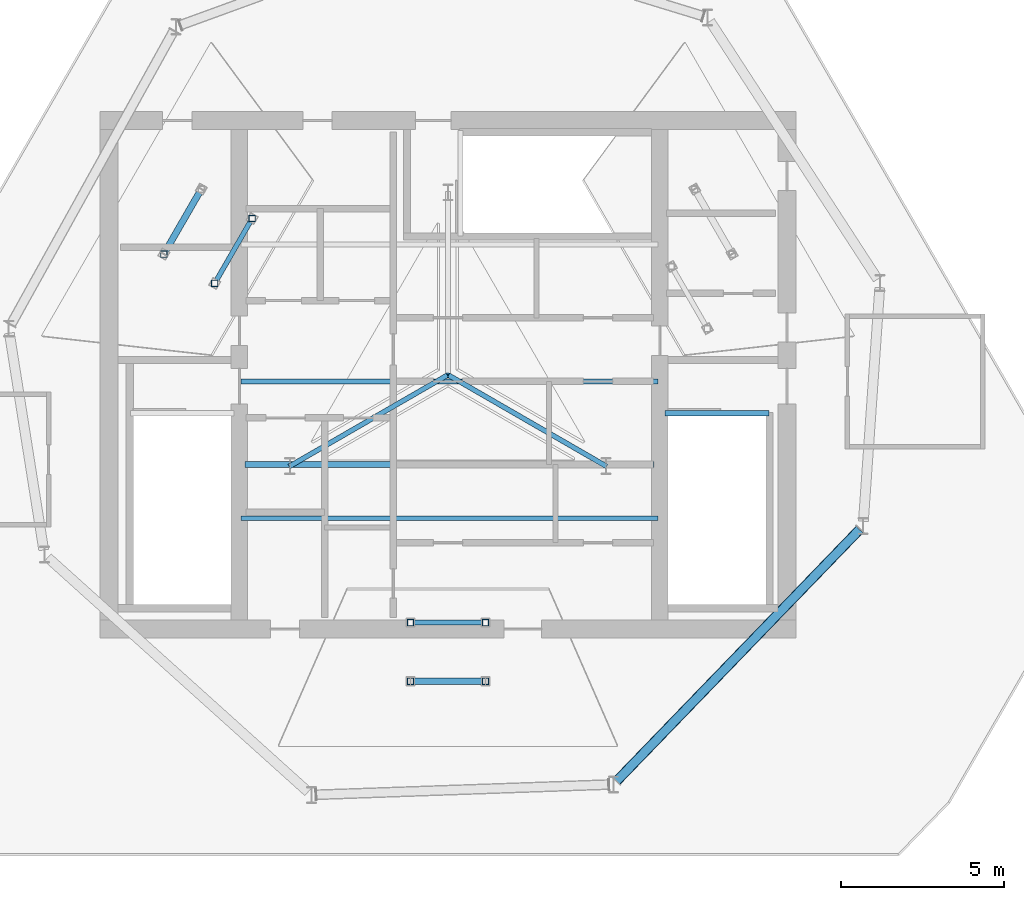
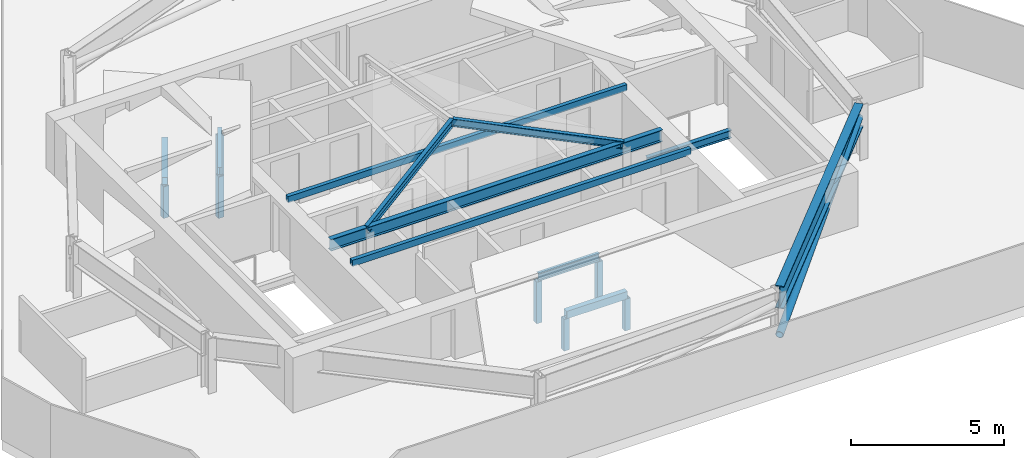
# One storey, part 2 of 9: 16 members, 3 beams.
"""IFC4 building model written with IfcOpenShell, lengths in metres."""

from ifc_helpers import new_model, si_unit, direction, frame, origin, origin_2d, place, context, subcontext, project, spatial, hollow_rectangle, hollow_circle, i_section, extrude, material, material_profile, profile_set, type_object, element, save


model = new_model("IFC4")

# Units and contexts
model_context = context("Model", 3, precision=1e-05, world=origin(), true_north=direction((0.0, 1.0)))
body_context = subcontext(model_context, "Body", "Model", "MODEL_VIEW")
ifc_project = project(units=[si_unit("LENGTHUNIT", "METRE"), si_unit("AREAUNIT", "SQUARE_METRE"), si_unit("VOLUMEUNIT", "CUBIC_METRE"), si_unit("PLANEANGLEUNIT", "RADIAN"), si_unit("MASSUNIT", "GRAM", prefix="KILO")], contexts=[model_context])

# Site, building, storey
site_placement = place(None, origin())
site = spatial("IfcSite", under=ifc_project, at=site_placement, CompositionType="ELEMENT")
building_placement = place(site_placement, origin())
building = spatial("IfcBuilding", under=site, at=building_placement, Name="Qarnah Convention Tower", CompositionType="ELEMENT")
storey_placement = place(building_placement, frame((0.0, 0.0, 292.89990234375)))
storey = spatial("IfcBuildingStorey", under=building, at=storey_placement, Name="L79", CompositionType="ELEMENT", Elevation=292.89990234375)

# Beams
ifc_material = material(Name="Structural steel S355JR", Category="steel")
ifc_material_profile_1 = material_profile(ifc_material, i_section(OverallWidth=0.19189453125, OverallDepth=0.464111328125, WebThickness=0.010986328125, FlangeThickness=0.01806640625, at=origin_2d()), Name="W460X89")
ifc_profile_set_1 = profile_set([ifc_material_profile_1], Name="Structural steel S355JR")
beam_type_1 = type_object("IfcBeamType", Name="BM-CANT-W460A", PredefinedType="BEAM", material=ifc_profile_set_1)
beam_1_placement = place(storey_placement, frame((30.97998046875, 23.64990234375, 1.968017578125), z_axis=(1.0, 0.0, 0.0), x_axis=(0.0, 1.0, 0.0)))
element("IfcBeam", 1, at=beam_1_placement, inside=storey, type_object=beam_type_1, Name="L79 beam BM-L79-KC1", PredefinedType="BEAM", context=body_context, shape_type="SweptSolid", body=[
    extrude(i_section(OverallWidth=0.19189453125, OverallDepth=0.464111328125, WebThickness=0.010986328125, FlangeThickness=0.01806640625, at=origin_2d()), origin(), (0.0, 0.0, 1.0), 12.5400390625),
])
ifc_material_profile_2 = material_profile(ifc_material, i_section(OverallWidth=0.166015625, OverallDepth=0.31201171875, WebThickness=0.007080078125, FlangeThickness=0.010986328125, at=origin_2d()), Name="W310X45")
ifc_profile_set_2 = profile_set([ifc_material_profile_2], Name="Structural steel S355JR")
beam_type_2 = type_object("IfcBeamType", Name="BM-JST-W310", PredefinedType="JOIST", material=ifc_profile_set_2)
beam_2_placement = place(storey_placement, frame((43.860107421875, 25.217041015625, -0.156005859375), z_axis=(1.0, 0.0, 0.0), x_axis=(0.0, 1.0, 0.0)))
element("IfcBeam", 2, at=beam_2_placement, inside=storey, type_object=beam_type_2, Name="L79 stair landing trimmer beam BM-L79-ST2-TRM", PredefinedType="BEAM", context=body_context, shape_type="SweptSolid", body=[
    extrude(i_section(OverallWidth=0.166015625, OverallDepth=0.31201171875, WebThickness=0.007080078125, FlangeThickness=0.010986328125, at=origin_2d()), origin(), (0.0, 0.0, 1.0), 3.179931640625),
])
ifc_material_profile_3 = material_profile(ifc_material, i_section(OverallWidth=0.300048828125, OverallDepth=0.89990234375, WebThickness=0.01904296875, FlangeThickness=0.034912109375, at=origin_2d()), Name="HEB900")
ifc_profile_set_3 = profile_set([ifc_material_profile_3], Name="Structural steel S355JR")
beam_type_3 = type_object("IfcBeamType", Name="BM-RING-HEB900", PredefinedType="BEAM", material=ifc_profile_set_3)
beam_3_placement = place(storey_placement, frame((42.373046875, 13.93798828125, 1.75), z_axis=(0.694704823646, 0.719294938118, 0.0), x_axis=(-0.719294938118, 0.694704823646, 0.0)))
element("IfcBeam", 3, at=beam_3_placement, inside=storey, type_object=beam_type_3, Name="L79 CROWN FRAME top ring cap beam 08", PredefinedType="BEAM", context=body_context, shape_type="SweptSolid", body=[
    extrude(i_section(OverallWidth=0.300048828125, OverallDepth=0.89990234375, WebThickness=0.01904296875, FlangeThickness=0.034912109375, at=origin_2d()), origin(), (0.0, 0.0, 1.0), 10.742431640625),
])

# Members
ifc_material_profile_4 = material_profile(ifc_material, hollow_circle(Radius=0.136474609375, WallThickness=0.010009765625, at=origin_2d()), Name="CHS273X10")
ifc_profile_set_4 = profile_set([ifc_material_profile_4], Name="Structural steel S355JR")
member_type_1 = type_object("IfcMemberType", Name="MBR-BRC-CHS273", PredefinedType="BRACE", material=ifc_profile_set_4)
member_1_placement = place(storey_placement, frame((42.373046875, 13.93798828125, 0.25), z_axis=(0.688878251467, 0.713262125717, 0.129243547899), x_axis=(-0.719294938118, 0.694704823646, 0.0)))
element("IfcMember", 4, at=member_1_placement, inside=storey, type_object=member_type_1, Name="L79 CROWN FRAME ring brace 08", PredefinedType="BRACE", context=body_context, shape_type="SweptSolid", body=[
    extrude(hollow_circle(Radius=0.136474609375, WallThickness=0.010009765625, at=origin_2d()), origin(), (0.0, 0.0, 1.0), 10.83349609375),
])
ifc_material_profile_5 = material_profile(ifc_material, hollow_rectangle(XDim=0.14990234375, YDim=0.25, WallThickness=0.010009765625, at=origin_2d()), Name="HSS250X150X10")
ifc_profile_set_5 = profile_set([ifc_material_profile_5], Name="Structural steel S355JR")
member_type_2 = type_object("IfcMemberType", Name="MBR-CLR-HSS250X150", PredefinedType="COLLAR", material=ifc_profile_set_5)
for number, where, z_axis, x_axis, name in (
    (5, (30.85009765625, 22.0, 2.280029296875), (1.0, 0.0, 0.0), (0.0, 1.0, 0.0), "L79 crown roof collar tie 1"),
    (6, (30.85009765625, 26.199951171875, 2.280029296875), (1.0, 0.0, 0.0), (0.0, 1.0, 0.0), "L79 crown roof collar tie 2"),
):
    element("IfcMember", number, at=place(storey_placement, frame(where, z_axis=z_axis, x_axis=x_axis)), inside=storey, type_object=member_type_2, Name=name, PredefinedType="COLLAR", context=body_context, shape_type="SweptSolid", body=[
        extrude(hollow_rectangle(XDim=0.14990234375, YDim=0.25, WallThickness=0.010009765625, at=origin_2d()), origin(), (0.0, 0.0, 1.0), 12.7998046875),
    ])
ifc_material_profile_6 = material_profile(ifc_material, hollow_rectangle(XDim=0.199951171875, YDim=0.300048828125, WallThickness=0.011962890625, at=origin_2d()), Name="HSS300X200X12")
ifc_profile_set_6 = profile_set([ifc_material_profile_6], Name="Structural steel S355JR")
member_type_3 = type_object("IfcMemberType", Name="MBR-PRL-HSS300X200", PredefinedType="PURLIN", material=ifc_profile_set_6)
for number, where, z_axis, x_axis, name in (
    (7, (29.634033203125, 32.095947265625, 1.446044921875), (-0.500031774688, -0.866007057882, 0.0), (0.866007057882, -0.500031774688, 0.0), "L79 sloped roof purlin 1.2"),
    (8, (36.050048828125, 17.0, 1.446044921875), (1.0, 0.0, 0.0), (0.0, 1.0, 0.0), "L79 sloped roof purlin 2.2"),
):
    element("IfcMember", number, at=place(storey_placement, frame(where, z_axis=z_axis, x_axis=x_axis)), inside=storey, type_object=member_type_3, Name=name, PredefinedType="PURLIN", context=body_context, shape_type="SweptSolid", body=[
        extrude(hollow_rectangle(XDim=0.199951171875, YDim=0.300048828125, WallThickness=0.011962890625, at=origin_2d()), origin(), (0.0, 0.0, 1.0), 2.300048828125),
    ])
ifc_material_profile_7 = material_profile(ifc_material, i_section(OverallWidth=0.14990234375, OverallDepth=0.300048828125, WebThickness=0.007080078125, FlangeThickness=0.010986328125, at=origin_2d()), Name="IPE300")
ifc_profile_set_7 = profile_set([ifc_material_profile_7], Name="Structural steel S355JR")
member_type_4 = type_object("IfcMemberType", Name="MBR-PRL-IPE300", PredefinedType="PURLIN", material=ifc_profile_set_7)
member_2_placement = place(storey_placement, frame((32.35009765625, 23.60009765625, 2.1201171875), z_axis=(0.855075328496, 0.493632210783, 0.158661347135), x_axis=(-0.499965239061, 0.866045472092, 0.0)))
element("IfcMember", 9, at=member_2_placement, inside=storey, type_object=member_type_4, Name="L79 crown apex hip rafter 2", PredefinedType="RAFTER", context=body_context, shape_type="SweptSolid", body=[
    extrude(i_section(OverallWidth=0.14990234375, OverallDepth=0.300048828125, WebThickness=0.007080078125, FlangeThickness=0.010986328125, at=origin_2d()), origin(), (0.0, 0.0, 1.0), 5.671875),
])
member_3_placement = place(storey_placement, frame((42.050048828125, 23.60009765625, 2.1201171875), z_axis=(-0.855086900157, 0.493614042636, 0.1586555076), x_axis=(-0.49994636267, -0.866056369097, 0.0)))
element("IfcMember", 10, at=member_3_placement, inside=storey, type_object=member_type_4, Name="L79 crown apex hip rafter 3", PredefinedType="RAFTER", context=body_context, shape_type="SweptSolid", body=[
    extrude(i_section(OverallWidth=0.14990234375, OverallDepth=0.300048828125, WebThickness=0.007080078125, FlangeThickness=0.010986328125, at=origin_2d()), origin(), (0.0, 0.0, 1.0), 5.672119140625),
])
for number, where, z_axis, x_axis, name in (
    (11, (31.193115234375, 31.196044921875, 1.840087890625), (-0.500031774688, -0.866007057882, 0.0), (0.866007057882, -0.500031774688, 0.0), "L79 sloped roof purlin 1.1"),
    (12, (36.050048828125, 18.800048828125, 1.840087890625), (1.0, 0.0, 0.0), (0.0, 1.0, 0.0), "L79 sloped roof purlin 2.1"),
):
    element("IfcMember", number, at=place(storey_placement, frame(where, z_axis=z_axis, x_axis=x_axis)), inside=storey, type_object=member_type_4, Name=name, PredefinedType="PURLIN", context=body_context, shape_type="SweptSolid", body=[
        extrude(i_section(OverallWidth=0.14990234375, OverallDepth=0.300048828125, WebThickness=0.007080078125, FlangeThickness=0.010986328125, at=origin_2d()), origin(), (0.0, 0.0, 1.0), 2.300048828125),
    ])
ifc_material_profile_8 = material_profile(ifc_material, hollow_rectangle(XDim=0.199951171875, YDim=0.199951171875, WallThickness=0.010009765625, at=origin_2d()), Name="HSS200X200X10")
ifc_profile_set_8 = profile_set([ifc_material_profile_8], Name="Structural steel S355JR")
member_type_5 = type_object("IfcMemberType", Name="MBR-STR-HSS200", PredefinedType="STRUT", material=ifc_profile_set_8)
for number, where, z_axis, x_axis, name in (
    (13, (31.193115234375, 31.196044921875, 0.0400390625), (0.0, 0.0, 1.0), (1.0, 0.0, 0.0), "L79 sloped roof purlin post 1.1A"),
    (14, (30.04296875, 29.2041015625, 0.0400390625), (0.0, 0.0, 1.0), (1.0, 0.0, 0.0), "L79 sloped roof purlin post 1.1B"),
):
    element("IfcMember", number, at=place(storey_placement, frame(where, z_axis=z_axis, x_axis=x_axis)), inside=storey, type_object=member_type_5, Name=name, PredefinedType="STRUT", context=body_context, shape_type="SweptSolid", body=[
        extrude(hollow_rectangle(XDim=0.199951171875, YDim=0.199951171875, WallThickness=0.010009765625, at=origin_2d()), origin(), (0.0, 0.0, 1.0), 1.66015625),
    ])
member_4_placement = place(storey_placement, frame((28.48388671875, 30.10400390625, 0.0400390625), z_axis=(0.0, 0.0, 1.0), x_axis=(1.0, 0.0, 0.0)))
element("IfcMember", 15, at=member_4_placement, inside=storey, type_object=member_type_5, Name="L79 sloped roof purlin post 1.2B", PredefinedType="STRUT", context=body_context, shape_type="SweptSolid", body=[
    extrude(hollow_rectangle(XDim=0.199951171875, YDim=0.199951171875, WallThickness=0.010009765625, at=origin_2d()), origin(), (0.0, 0.0, 1.0), 1.26611328125),
])
for number, where, z_axis, x_axis, name in (
    (16, (36.050048828125, 18.800048828125, 0.0400390625), (0.0, 0.0, 1.0), (1.0, 0.0, 0.0), "L79 sloped roof purlin post 2.1A"),
    (17, (38.35009765625, 18.800048828125, 0.0400390625), (0.0, 0.0, 1.0), (1.0, 0.0, 0.0), "L79 sloped roof purlin post 2.1B"),
):
    element("IfcMember", number, at=place(storey_placement, frame(where, z_axis=z_axis, x_axis=x_axis)), inside=storey, type_object=member_type_5, Name=name, PredefinedType="STRUT", context=body_context, shape_type="SweptSolid", body=[
        extrude(hollow_rectangle(XDim=0.199951171875, YDim=0.199951171875, WallThickness=0.010009765625, at=origin_2d()), origin(), (0.0, 0.0, 1.0), 1.66015625),
    ])
for number, where, z_axis, x_axis, name in (
    (18, (36.050048828125, 17.0, 0.0400390625), (0.0, 0.0, 1.0), (1.0, 0.0, 0.0), "L79 sloped roof purlin post 2.2A"),
    (19, (38.35009765625, 17.0, 0.0400390625), (0.0, 0.0, 1.0), (1.0, 0.0, 0.0), "L79 sloped roof purlin post 2.2B"),
):
    element("IfcMember", number, at=place(storey_placement, frame(where, z_axis=z_axis, x_axis=x_axis)), inside=storey, type_object=member_type_5, Name=name, PredefinedType="STRUT", context=body_context, shape_type="SweptSolid", body=[
        extrude(hollow_rectangle(XDim=0.199951171875, YDim=0.199951171875, WallThickness=0.010009765625, at=origin_2d()), origin(), (0.0, 0.0, 1.0), 1.26611328125),
    ])

save(model, "model.ifc")
